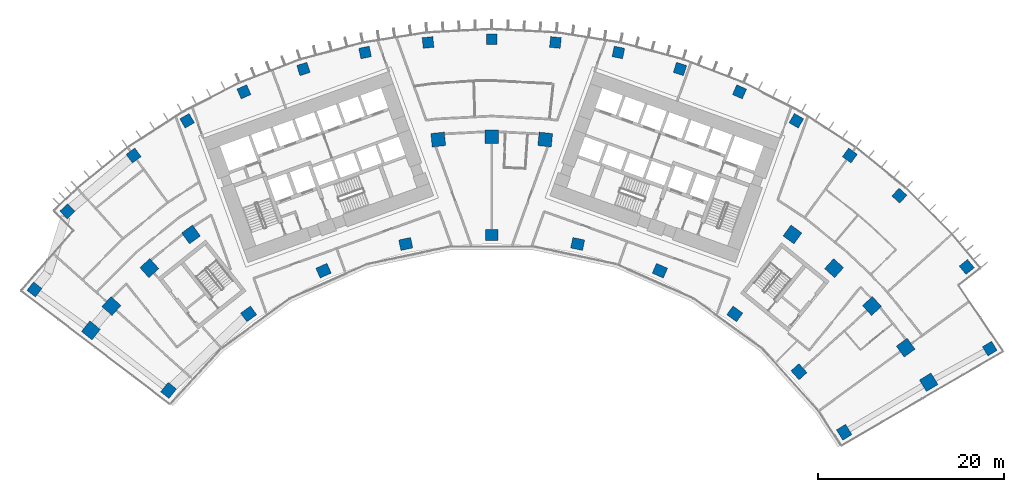
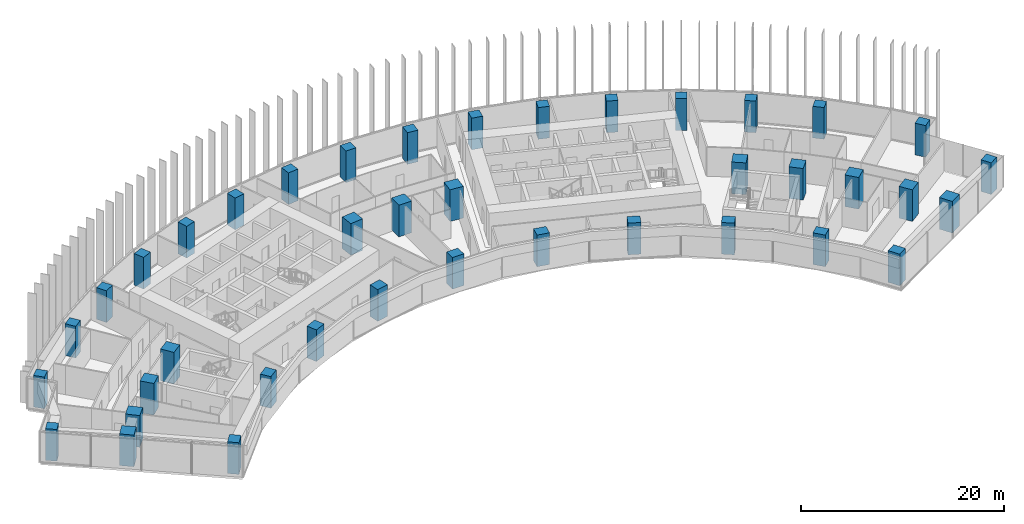
# One storey, part 1 of 23: 40 columns.
"""IFC4 building model written with IfcOpenShell, lengths in metres."""

from ifc_helpers import new_model, si_unit, direction, frame, origin, origin_2d, place, context, subcontext, project, spatial, rectangle, extrude, material, material_profile, profile_set, type_object, element, save


model = new_model("IFC4")

# Units and contexts
model_context = context("Model", 3, precision=1e-05, world=origin(), true_north=direction((0.0, 1.0)))
body_context = subcontext(model_context, "Body", "Model", "MODEL_VIEW")
ifc_project = project(units=[si_unit("LENGTHUNIT", "METRE"), si_unit("AREAUNIT", "SQUARE_METRE"), si_unit("VOLUMEUNIT", "CUBIC_METRE"), si_unit("PLANEANGLEUNIT", "RADIAN"), si_unit("MASSUNIT", "GRAM", prefix="KILO")], contexts=[model_context])

# Site, building, storey
site_placement = place(None, origin())
site = spatial("IfcSite", under=ifc_project, at=site_placement, CompositionType="ELEMENT")
building_placement = place(site_placement, origin())
building = spatial("IfcBuilding", under=site, at=building_placement, Name="Stone Belt Terrace Tower", CompositionType="ELEMENT")
storey_placement = place(building_placement, frame((0.0, 0.0, 98.39990234375)))
storey = spatial("IfcBuildingStorey", under=building, at=storey_placement, Name="L23", CompositionType="ELEMENT", Elevation=98.39990234375)

# Columns
ifc_material = material(Name="Concrete B80", Category="concrete")
ifc_material_profile_1 = material_profile(ifc_material, rectangle(XDim=1.14990234375, YDim=1.14990234375, at=origin_2d()), Name="RC 1150x1150")
ifc_profile_set_1 = profile_set([ifc_material_profile_1], Name="Concrete B80")
column_type_1 = type_object("IfcColumnType", Name="Column RC 1150x1150 B80", PredefinedType="COLUMN", material=ifc_profile_set_1)
for number, where, z_axis, x_axis, name in (
    (1, (-49.153564453125, 38.584716796875, 0.0), (0.0, 0.0, 1.0), (0.617467049123, 0.786596747545, 0.0), "Column L23 RA"),
    (2, (53.53662109375, 32.228515625, 0.0), (0.0, 0.0, 1.0), (0.515750011733, -0.856739123303, 0.0), "Column L23 RB"),
    (3, (-45.617919921875, 46.9873046875, 0.0), (0.0, 0.0, 1.0), (0.717483469981, 0.69657553094, 0.0), "Column L23 RNA"),
    (4, (-38.493408203125, 52.981689453125, 0.0), (0.0, 0.0, 1.0), (0.809016994375, 0.587785252292, 0.0), "Column L23 R16"),
    (5, (-32.744384765625, 56.715087890625, 0.0), (0.0, 0.0, 1.0), (0.866025403784, 0.5, 0.0), "Column L23 R17"),
    (6, (-26.63671875, 59.8271484375, 0.0), (0.0, 0.0, 1.0), (0.913545457643, 0.406736643076, 0.0), "Column L23 R18"),
    (7, (-20.2373046875, 62.28369140625, 0.0), (0.0, 0.0, 1.0), (0.951056516295, 0.309016994375, 0.0), "Column L23 R19"),
    (8, (-13.615966796875, 64.057861328125, 0.0), (0.0, 0.0, 1.0), (0.978147600734, 0.207911690818, 0.0), "Column L23 R20"),
    (9, (-6.845458984375, 65.130126953125, 0.0), (0.0, 0.0, 1.0), (0.994521895368, 0.104528463268, 0.0), "Column L23 R21"),
    (10, (0.0, 65.489013671875, 0.0), (0.0, 0.0, 1.0), (1.0, 0.0, 0.0), "Column L23 R22"),
    (11, (6.845458984375, 65.130126953125, 0.0), (0.0, 0.0, 1.0), (0.994521895368, -0.104528463268, 0.0), "Column L23 R23"),
    (12, (13.615966796875, 64.057861328125, 0.0), (0.0, 0.0, 1.0), (0.978147600734, -0.207911690818, 0.0), "Column L23 R24"),
    (13, (20.2373046875, 62.28369140625, 0.0), (0.0, 0.0, 1.0), (0.951056516295, -0.309016994375, 0.0), "Column L23 R25"),
    (14, (26.63671875, 59.8271484375, 0.0), (0.0, 0.0, 1.0), (0.913545457643, -0.406736643076, 0.0), "Column L23 R26"),
    (15, (32.744384765625, 56.715087890625, 0.0), (0.0, 0.0, 1.0), (0.866025403784, -0.5, 0.0), "Column L23 R27"),
    (16, (38.493408203125, 52.981689453125, 0.0), (0.0, 0.0, 1.0), (0.809016994375, -0.587785252292, 0.0), "Column L23 R28"),
    (17, (43.820556640625, 48.667724609375, 0.0), (0.0, 0.0, 1.0), (0.743144825477, -0.669130606359, 0.0), "Column L23 R29"),
    (18, (51.064208984375, 41.002685546875, 0.0), (0.0, 0.0, 1.0), (0.626104488961, -0.779739167224, 0.0), "Column L23 RNB"),
):
    element("IfcColumn", number, at=place(storey_placement, frame(where, z_axis=z_axis, x_axis=x_axis)), inside=storey, type_object=column_type_1, Name=name, PredefinedType="COLUMN", context=body_context, shape_type="SweptSolid", body=[
        extrude(rectangle(XDim=1.14990234375, YDim=1.14990234375, at=origin_2d()), origin(), (0.0, 0.0, 1.0), 3.800048828125),
    ])
ifc_material_profile_2 = material_profile(ifc_material, rectangle(XDim=1.300048828125, YDim=1.14990234375, at=origin_2d()), Name="RC 1300x1150")
ifc_profile_set_2 = profile_set([ifc_material_profile_2], Name="Concrete B80")
column_type_2 = type_object("IfcColumnType", Name="Column RC 1300x1150 B80", PredefinedType="COLUMN", material=ifc_profile_set_2)
for number, where, z_axis, x_axis, name in (
    (19, (-34.7333984375, 27.72998046875, 0.0), (0.0, 0.0, 1.0), (0.62391778826, 0.781489982977, 0.0), "Column L23 PA"),
    (20, (-26.1240234375, 35.956787109375, 0.0), (0.0, 0.0, 1.0), (0.809016994375, 0.587785252292, 0.0), "Column L23 P16"),
    (21, (-18.077392578125, 40.6025390625, 0.0), (0.0, 0.0, 1.0), (0.913545457643, 0.406736643076, 0.0), "Column L23 P18"),
    (22, (-9.240478515625, 43.473876953125, 0.0), (0.0, 0.0, 1.0), (0.978147600734, 0.207911690818, 0.0), "Column L23 P20"),
    (23, (0.0, 44.445068359375, 0.0), (0.0, 0.0, 1.0), (1.0, 0.0, 0.0), "Column L23 P22"),
    (24, (9.240478515625, 43.473876953125, 0.0), (0.0, 0.0, 1.0), (0.978147600734, -0.207911690818, 0.0), "Column L23 P24"),
    (25, (18.077392578125, 40.6025390625, 0.0), (0.0, 0.0, 1.0), (0.913545457643, -0.406736643076, 0.0), "Column L23 P26"),
    (26, (26.1240234375, 35.956787109375, 0.0), (0.0, 0.0, 1.0), (0.809016994375, -0.587785252292, 0.0), "Column L23 P28"),
    (27, (33.029052734375, 29.739501953125, 0.0), (0.0, 0.0, 1.0), (0.669130606359, -0.743144825477, 0.0), "Column L23 P30"),
    (28, (37.887939453125, 23.235107421875, 0.0), (0.0, 0.0, 1.0), (0.522781282168, -0.852466850391, 0.0), "Column L23 PB"),
):
    element("IfcColumn", number, at=place(storey_placement, frame(where, z_axis=z_axis, x_axis=x_axis)), inside=storey, type_object=column_type_2, Name=name, PredefinedType="COLUMN", context=body_context, shape_type="SweptSolid", body=[
        extrude(rectangle(XDim=1.300048828125, YDim=1.14990234375, at=origin_2d()), origin(), (0.0, 0.0, 1.0), 3.800048828125),
    ])
ifc_material_profile_3 = material_profile(ifc_material, rectangle(XDim=1.449951171875, YDim=1.449951171875, at=origin_2d()), Name="RC 1450x1450")
ifc_profile_set_3 = profile_set([ifc_material_profile_3], Name="Concrete B80")
column_type_3 = type_object("IfcColumnType", Name="Column RC 1450x1450 B80", PredefinedType="COLUMN", material=ifc_profile_set_3)
for number, where, z_axis, x_axis, name in (
    (29, (-43.086181640625, 34.1845703125, 0.0), (0.0, 0.0, 1.0), (0.621538894569, 0.783383304991, 0.0), "Column L23 QA"),
    (30, (-40.873046875, 36.80224609375, 0.0), (0.0, 0.0, 1.0), (0.669130606359, 0.743144825477, 0.0), "Column L23 Q14"),
    (31, (-36.80224609375, 40.873046875, 0.0), (0.0, 0.0, 1.0), (0.743144825477, 0.669130606359, 0.0), "Column L23 Q15"),
    (32, (-32.328125, 44.495849609375, 0.0), (0.0, 0.0, 1.0), (0.809016994375, 0.587785252292, 0.0), "Column L23 Q16"),
    (33, (-5.7490234375, 54.69873046875, 0.0), (0.0, 0.0, 1.0), (0.994521895368, 0.104528463268, 0.0), "Column L23 Q21"),
    (34, (0.0, 55.0, 0.0), (0.0, 0.0, 1.0), (1.0, 0.0, 0.0), "Column L23 Q22"),
    (35, (5.7490234375, 54.69873046875, 0.0), (0.0, 0.0, 1.0), (0.994521895368, -0.104528463268, 0.0), "Column L23 Q23"),
    (36, (32.328125, 44.495849609375, 0.0), (0.0, 0.0, 1.0), (0.809016994375, -0.587785252292, 0.0), "Column L23 Q28"),
    (37, (36.80224609375, 40.873046875, 0.0), (0.0, 0.0, 1.0), (0.743144825477, -0.669130606359, 0.0), "Column L23 Q29"),
    (38, (40.873046875, 36.80224609375, 0.0), (0.0, 0.0, 1.0), (0.669130606359, -0.743144825477, 0.0), "Column L23 Q30"),
    (39, (44.495849609375, 32.328125, 0.0), (0.0, 0.0, 1.0), (0.587785252292, -0.809016994375, 0.0), "Column L23 Q31"),
    (40, (46.972900390625, 28.610107421875, 0.0), (0.0, 0.0, 1.0), (0.520185570168, -0.854053260979, 0.0), "Column L23 QB"),
):
    element("IfcColumn", number, at=place(storey_placement, frame(where, z_axis=z_axis, x_axis=x_axis)), inside=storey, type_object=column_type_3, Name=name, PredefinedType="COLUMN", context=body_context, shape_type="SweptSolid", body=[
        extrude(rectangle(XDim=1.449951171875, YDim=1.449951171875, at=origin_2d()), origin(), (0.0, 0.0, 1.0), 3.800048828125),
    ])

save(model, "model.ifc")
